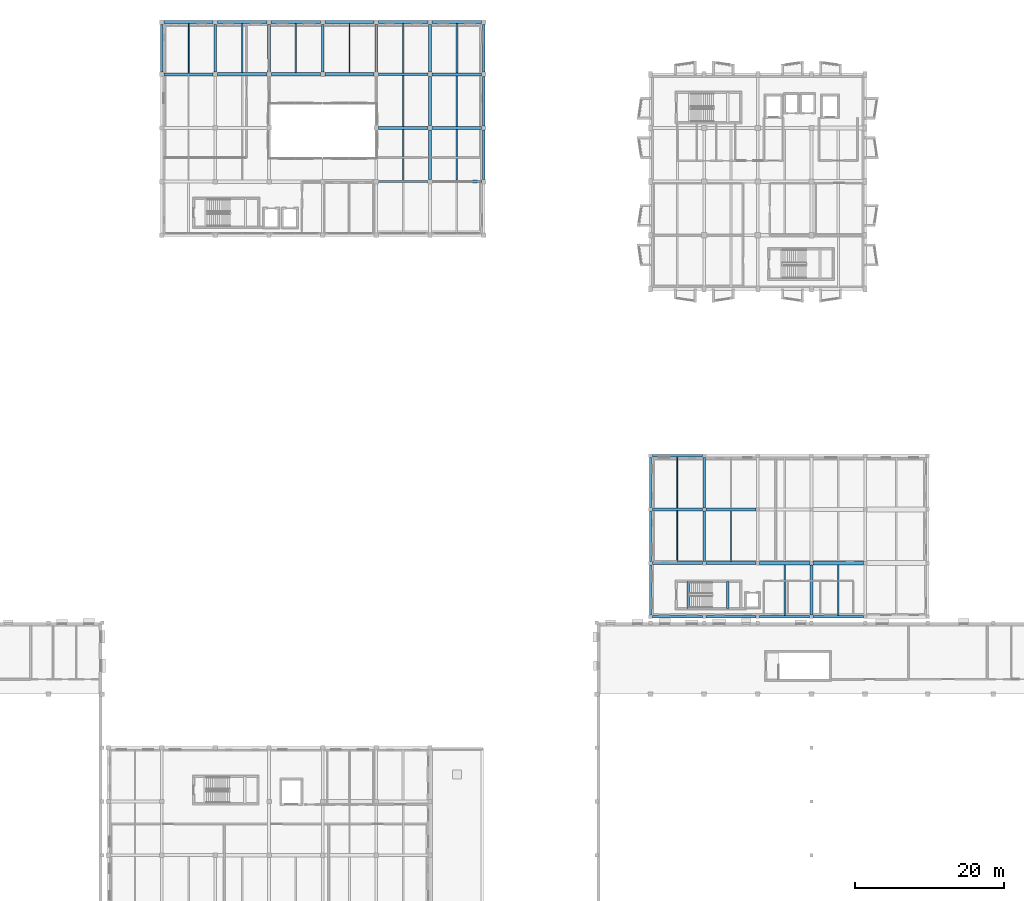
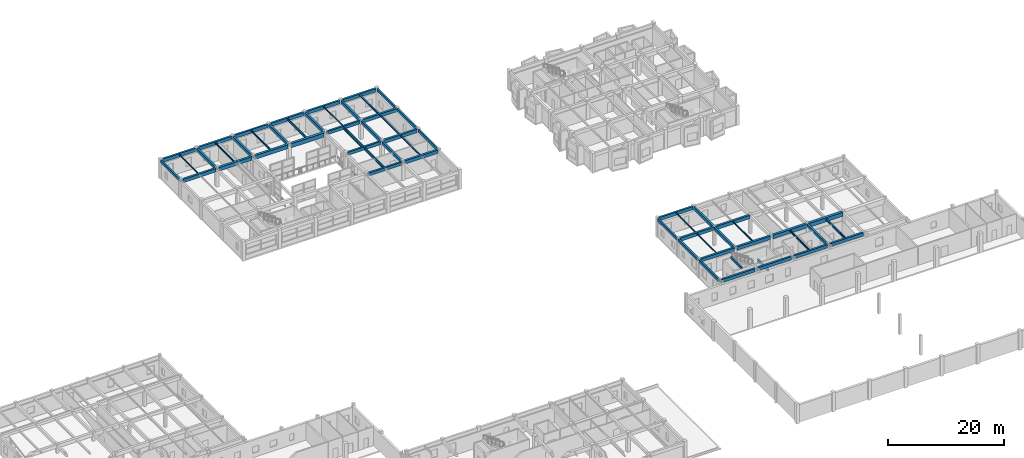
# One storey, part 19 of 49: 61 beams.
"""IFC4 building model written with IfcOpenShell, lengths in metres."""

from ifc_helpers import new_model, si_unit, direction, frame, origin, origin_2d, place, context, subcontext, project, spatial, rectangle, i_section, extrude, material, material_profile, profile_set, type_object, element, save


model = new_model("IFC4")

# Units and contexts
model_context = context("Model", 3, precision=1e-05, world=origin(), true_north=direction((0.0, 1.0)))
body_context = subcontext(model_context, "Body", "Model", "MODEL_VIEW")
ifc_project = project(units=[si_unit("LENGTHUNIT", "METRE"), si_unit("AREAUNIT", "SQUARE_METRE"), si_unit("VOLUMEUNIT", "CUBIC_METRE"), si_unit("PLANEANGLEUNIT", "RADIAN"), si_unit("MASSUNIT", "GRAM", prefix="KILO")], contexts=[model_context])

# Site, building, storey
site_placement = place(None, origin())
site = spatial("IfcSite", under=ifc_project, at=site_placement, CompositionType="ELEMENT")
building_placement = place(site_placement, origin())
building = spatial("IfcBuilding", under=site, at=building_placement, Name="Bramveld Media Centre", CompositionType="ELEMENT")
storey_placement = place(building_placement, frame((0.0, 0.0, 9.60009765625)))
storey = spatial("IfcBuildingStorey", under=building, at=storey_placement, Name="L02", CompositionType="ELEMENT", Elevation=9.60009765625)

# Beams
ifc_material_1 = material(Name="Concrete C40/50", Category="concrete")
ifc_material_profile_1 = material_profile(ifc_material_1, rectangle(XDim=0.300048828125, YDim=0.5, at=origin_2d()), Name="RC 300x500")
ifc_profile_set_1 = profile_set([ifc_material_profile_1], Name="Concrete C40/50")
beam_type_1 = type_object("IfcBeamType", Name="BM-INT-RC-300x500", PredefinedType="BEAM", material=ifc_profile_set_1)
for number, where, z_axis, x_axis, name in (
    (1, (136.25, 40.300048828125, 3.949951171875), (0.0, 1.0, 0.0), (-1.0, 0.0, 0.0), "ST-08 L03 stairwell landing trimmer beam"),
    (2, (141.550048828125, 40.300048828125, 1.64990234375), (0.0, 1.0, 0.0), (-1.0, 0.0, 0.0), "ST-08 L02 stairwell half-landing support beam"),
):
    element("IfcBeam", number, at=place(storey_placement, frame(where, z_axis=z_axis, x_axis=x_axis)), inside=storey, type_object=beam_type_1, Name=name, PredefinedType="BEAM", context=body_context, shape_type="SweptSolid", body=[
        extrude(rectangle(XDim=0.300048828125, YDim=0.5, at=origin_2d()), origin(), (0.0, 0.0, 1.0), 3.64990234375),
    ])
ifc_material_2 = material(Name="Concrete C40/50", Category="concrete")
ifc_material_profile_2 = material_profile(ifc_material_2, rectangle(XDim=0.35009765625, YDim=0.60009765625, at=origin_2d()), Name="RC 350x600")
ifc_profile_set_2 = profile_set([ifc_material_profile_2], Name="Concrete C40/50")
beam_type_2 = type_object("IfcBeamType", Name="BM-INT-RC-350x600", PredefinedType="BEAM", material=ifc_profile_set_2)
beam_1_placement = place(storey_placement, frame((138.39990234375, 46.625, 3.659912109375), z_axis=(0.0, 1.0, 0.0), x_axis=(-1.0, 0.0, 0.0)))
element("IfcBeam", 3, at=beam_1_placement, inside=storey, type_object=beam_type_2, Name="V4 L02 girder Y-589", PredefinedType="BEAM", context=body_context, shape_type="SweptSolid", body=[
    extrude(rectangle(XDim=0.35009765625, YDim=0.60009765625, at=origin_2d()), origin(), (0.0, 0.0, 1.0), 6.75),
])
for number, where, z_axis, x_axis, name in (
    (4, (138.39990234375, 53.824951171875, 3.659912109375), (0.0, 1.0, 0.0), (-1.0, 0.0, 0.0), "V4 L02 girder Y-590"),
    (5, (152.800048828125, 39.43994140625, 3.659912109375), (0.0, 1.0, 0.0), (-1.0, 0.0, 0.0), "V4 L02 girder Y-593"),
):
    element("IfcBeam", number, at=place(storey_placement, frame(where, z_axis=z_axis, x_axis=x_axis)), inside=storey, type_object=beam_type_2, Name=name, PredefinedType="BEAM", context=body_context, shape_type="SweptSolid", body=[
        extrude(rectangle(XDim=0.35009765625, YDim=0.60009765625, at=origin_2d()), origin(), (0.0, 0.0, 1.0), 6.735107421875),
    ])
for number, where, z_axis, x_axis, name in (
    (6, (72.800048828125, 112.300048828125, 3.659912109375), (0.0, 1.0, 0.0), (-1.0, 0.0, 0.0), "V6 L02 girder Y-1098"),
    (7, (80.0, 112.300048828125, 3.659912109375), (0.0, 1.0, 0.0), (-1.0, 0.0, 0.0), "V6 L02 girder Y-1101"),
    (8, (87.199951171875, 112.300048828125, 3.659912109375), (0.0, 1.0, 0.0), (-1.0, 0.0, 0.0), "V6 L02 girder Y-1103"),
    (9, (94.39990234375, 112.300048828125, 3.659912109375), (0.0, 1.0, 0.0), (-1.0, 0.0, 0.0), "V6 L02 girder Y-1107"),
):
    element("IfcBeam", number, at=place(storey_placement, frame(where, z_axis=z_axis, x_axis=x_axis)), inside=storey, type_object=beam_type_2, Name=name, PredefinedType="BEAM", context=body_context, shape_type="SweptSolid", body=[
        extrude(rectangle(XDim=0.35009765625, YDim=0.60009765625, at=origin_2d()), origin(), (0.0, 0.0, 1.0), 6.409912109375),
    ])
beam_2_placement = place(storey_placement, frame((101.60009765625, 97.89990234375, 3.619873046875), z_axis=(0.0, 1.0, 0.0), x_axis=(-1.0, 0.0, 0.0)))
element("IfcBeam", 10, at=beam_2_placement, inside=storey, type_object=beam_type_2, Name="V6 L02 girder Y-1109", PredefinedType="BEAM", context=body_context, shape_type="SweptSolid", body=[
    extrude(rectangle(XDim=0.35009765625, YDim=0.60009765625, at=origin_2d()), origin(), (0.0, 0.0, 1.0), 6.60009765625),
])
beam_3_placement = place(storey_placement, frame((101.60009765625, 105.10009765625, 3.619873046875), z_axis=(0.0, 1.0, 0.0), x_axis=(-1.0, 0.0, 0.0)))
element("IfcBeam", 11, at=beam_3_placement, inside=storey, type_object=beam_type_2, Name="V6 L02 girder Y-1110", PredefinedType="BEAM", context=body_context, shape_type="SweptSolid", body=[
    extrude(rectangle(XDim=0.35009765625, YDim=0.60009765625, at=origin_2d()), origin(), (0.0, 0.0, 1.0), 6.599853515625),
])
beam_4_placement = place(storey_placement, frame((101.60009765625, 112.300048828125, 3.64990234375), z_axis=(0.0, 1.0, 0.0), x_axis=(-1.0, 0.0, 0.0)))
element("IfcBeam", 12, at=beam_4_placement, inside=storey, type_object=beam_type_2, Name="V6 L02 girder Y-1111", PredefinedType="BEAM", context=body_context, shape_type="SweptSolid", body=[
    extrude(rectangle(XDim=0.35009765625, YDim=0.60009765625, at=origin_2d()), origin(), (0.0, 0.0, 1.0), 6.409912109375),
])
ifc_material_3 = material(Name="Concrete C40/50", Category="concrete")
ifc_material_profile_3 = material_profile(ifc_material_3, rectangle(XDim=0.35009765625, YDim=0.64990234375, at=origin_2d()), Name="RC 350x650")
ifc_profile_set_3 = profile_set([ifc_material_profile_3], Name="Concrete C40/50")
beam_type_3 = type_object("IfcBeamType", Name="BM-INT-RC-350x650", PredefinedType="BEAM", material=ifc_profile_set_3)
for number, where, z_axis, x_axis, name in (
    (13, (94.699951171875, 97.60009765625, 3.594970703125), (1.0, 0.0, 0.0), (0.0, 1.0, 0.0), "V6 L02 girder X-1074"),
    (14, (94.699951171875, 104.800048828125, 3.594970703125), (1.0, 0.0, 0.0), (0.0, 1.0, 0.0), "V6 L02 girder X-1078"),
    (15, (94.699951171875, 112.0, 3.594970703125), (1.0, 0.0, 0.0), (0.0, 1.0, 0.0), "V6 L02 girder X-1084"),
):
    element("IfcBeam", number, at=place(storey_placement, frame(where, z_axis=z_axis, x_axis=x_axis)), inside=storey, type_object=beam_type_3, Name=name, PredefinedType="BEAM", context=body_context, shape_type="SweptSolid", body=[
        extrude(rectangle(XDim=0.35009765625, YDim=0.64990234375, at=origin_2d()), origin(), (0.0, 0.0, 1.0), 6.60009765625),
    ])
ifc_material_4 = material(Name="Concrete C40/50", Category="concrete")
ifc_material_profile_4 = material_profile(ifc_material_4, rectangle(XDim=0.39990234375, YDim=0.64990234375, at=origin_2d()), Name="RC 400x650")
ifc_profile_set_4 = profile_set([ifc_material_profile_4], Name="Concrete C40/50")
beam_type_4 = type_object("IfcBeamType", Name="BM-INT-RC-400x650", PredefinedType="BEAM", material=ifc_profile_set_4)
for number, where, z_axis, x_axis, name in (
    (16, (131.43994140625, 46.39990234375, 3.635009765625), (1.0, 0.0, 0.0), (0.0, 1.0, 0.0), "V4 L02 girder X-571"),
    (17, (131.43994140625, 53.60009765625, 3.635009765625), (1.0, 0.0, 0.0), (0.0, 1.0, 0.0), "V4 L02 girder X-576"),
):
    element("IfcBeam", number, at=place(storey_placement, frame(where, z_axis=z_axis, x_axis=x_axis)), inside=storey, type_object=beam_type_4, Name=name, PredefinedType="BEAM", context=body_context, shape_type="SweptSolid", body=[
        extrude(rectangle(XDim=0.39990234375, YDim=0.64990234375, at=origin_2d()), origin(), (0.0, 0.0, 1.0), 6.735107421875),
    ])
ifc_material_5 = material(Name="Concrete C40/50", Category="concrete")
ifc_material_profile_5 = material_profile(ifc_material_5, rectangle(XDim=0.39990234375, YDim=0.699951171875, at=origin_2d()), Name="RC 400x700")
ifc_profile_set_5 = profile_set([ifc_material_profile_5], Name="Concrete C40/50")
beam_type_5 = type_object("IfcBeamType", Name="BM-INT-RC-400x700", PredefinedType="BEAM", material=ifc_profile_set_5)
for number, where, z_axis, x_axis, name in (
    (18, (138.625, 46.39990234375, 3.60986328125), (1.0, 0.0, 0.0), (0.0, 1.0, 0.0), "V4 L02 girder X-572"),
    (19, (138.625, 53.60009765625, 3.60986328125), (1.0, 0.0, 0.0), (0.0, 1.0, 0.0), "V4 L02 girder X-577"),
):
    element("IfcBeam", number, at=place(storey_placement, frame(where, z_axis=z_axis, x_axis=x_axis)), inside=storey, type_object=beam_type_5, Name=name, PredefinedType="BEAM", context=body_context, shape_type="SweptSolid", body=[
        extrude(rectangle(XDim=0.39990234375, YDim=0.699951171875, at=origin_2d()), origin(), (0.0, 0.0, 1.0), 6.75),
    ])
for number, where, z_axis, x_axis, name in (
    (20, (101.89990234375, 97.60009765625, 3.60986328125), (1.0, 0.0, 0.0), (0.0, 1.0, 0.0), "V6 L02 girder X-1075"),
    (21, (101.89990234375, 104.800048828125, 3.60986328125), (1.0, 0.0, 0.0), (0.0, 1.0, 0.0), "V6 L02 girder X-1079"),
    (22, (65.889892578125, 112.0, 3.56982421875), (1.0, 0.0, 0.0), (0.0, 1.0, 0.0), "V6 L02 girder X-1080"),
    (23, (101.89990234375, 112.0, 3.599853515625), (1.0, 0.0, 0.0), (0.0, 1.0, 0.0), "V6 L02 girder X-1085"),
):
    element("IfcBeam", number, at=place(storey_placement, frame(where, z_axis=z_axis, x_axis=x_axis)), inside=storey, type_object=beam_type_5, Name=name, PredefinedType="BEAM", context=body_context, shape_type="SweptSolid", body=[
        extrude(rectangle(XDim=0.39990234375, YDim=0.699951171875, at=origin_2d()), origin(), (0.0, 0.0, 1.0), 6.610107421875),
    ])
ifc_material_6 = material(Name="Concrete C40/50", Category="concrete")
ifc_material_profile_6 = material_profile(ifc_material_6, rectangle(XDim=0.449951171875, YDim=0.75, at=origin_2d()), Name="RC 450x750")
ifc_profile_set_6 = profile_set([ifc_material_profile_6], Name="Concrete C40/50")
beam_type_6 = type_object("IfcBeamType", Name="BM-INT-RC-450x750", PredefinedType="BEAM", material=ifc_profile_set_6)
beam_5_placement = place(storey_placement, frame((73.10009765625, 112.0, 3.544921875), z_axis=(1.0, 0.0, 0.0), x_axis=(0.0, 1.0, 0.0)))
element("IfcBeam", 24, at=beam_5_placement, inside=storey, type_object=beam_type_6, Name="V6 L02 girder X-1081", PredefinedType="BEAM", context=body_context, shape_type="SweptSolid", body=[
    extrude(rectangle(XDim=0.449951171875, YDim=0.75, at=origin_2d()), origin(), (0.0, 0.0, 1.0), 6.599853515625),
])
ifc_material_7 = material(Name="Concrete C40/50", Category="concrete")
ifc_material_profile_7 = material_profile(ifc_material_7, rectangle(XDim=0.449951171875, YDim=0.800048828125, at=origin_2d()), Name="RC 450x800")
ifc_profile_set_7 = profile_set([ifc_material_profile_7], Name="Concrete C40/50")
beam_type_7 = type_object("IfcBeamType", Name="BM-INT-RC-450x800", PredefinedType="BEAM", material=ifc_profile_set_7)
beam_6_placement = place(storey_placement, frame((145.824951171875, 46.39990234375, 3.559814453125), z_axis=(1.0, 0.0, 0.0), x_axis=(0.0, 1.0, 0.0)))
element("IfcBeam", 25, at=beam_6_placement, inside=storey, type_object=beam_type_7, Name="V4 L02 girder X-573", PredefinedType="BEAM", context=body_context, shape_type="SweptSolid", body=[
    extrude(rectangle(XDim=0.449951171875, YDim=0.800048828125, at=origin_2d()), origin(), (0.0, 0.0, 1.0), 6.75),
])
beam_7_placement = place(storey_placement, frame((80.300048828125, 112.0, 3.52001953125), z_axis=(1.0, 0.0, 0.0), x_axis=(0.0, 1.0, 0.0)))
element("IfcBeam", 26, at=beam_7_placement, inside=storey, type_object=beam_type_7, Name="V6 L02 girder X-1082", PredefinedType="BEAM", context=body_context, shape_type="SweptSolid", body=[
    extrude(rectangle(XDim=0.449951171875, YDim=0.800048828125, at=origin_2d()), origin(), (0.0, 0.0, 1.0), 6.599853515625),
])
ifc_material_8 = material(Name="Concrete C40/50", Category="concrete")
ifc_material_profile_8 = material_profile(ifc_material_8, rectangle(XDim=0.5, YDim=0.85009765625, at=origin_2d()), Name="RC 500x850")
ifc_profile_set_8 = profile_set([ifc_material_profile_8], Name="Concrete C40/50")
beam_type_8 = type_object("IfcBeamType", Name="BM-INT-RC-500x850", PredefinedType="BEAM", material=ifc_profile_set_8)
beam_8_placement = place(storey_placement, frame((153.02490234375, 46.39990234375, 3.534912109375), z_axis=(1.0, 0.0, 0.0), x_axis=(0.0, 1.0, 0.0)))
element("IfcBeam", 27, at=beam_8_placement, inside=storey, type_object=beam_type_8, Name="V4 L02 girder X-574", PredefinedType="BEAM", context=body_context, shape_type="SweptSolid", body=[
    extrude(rectangle(XDim=0.5, YDim=0.85009765625, at=origin_2d()), origin(), (0.0, 0.0, 1.0), 6.75),
])
beam_9_placement = place(storey_placement, frame((87.5, 112.0, 3.494873046875), z_axis=(1.0, 0.0, 0.0), x_axis=(0.0, 1.0, 0.0)))
element("IfcBeam", 28, at=beam_9_placement, inside=storey, type_object=beam_type_8, Name="V6 L02 girder X-1083", PredefinedType="BEAM", context=body_context, shape_type="SweptSolid", body=[
    extrude(rectangle(XDim=0.5, YDim=0.85009765625, at=origin_2d()), origin(), (0.0, 0.0, 1.0), 6.60009765625),
])
ifc_material_9 = material(Name="Steel S355J2", Category="steel")
ifc_material_profile_9 = material_profile(ifc_material_9, i_section(OverallWidth=0.179931640625, OverallDepth=0.1708984375, WebThickness=0.006103515625, FlangeThickness=0.009521484375, FilletRadius=0.014892578125, at=origin_2d()), Name="HEA 180")
ifc_profile_set_9 = profile_set([ifc_material_profile_9], Name="Steel S355J2")
beam_type_9 = type_object("IfcBeamType", Name="SBM-INT-HEA-180", PredefinedType="BEAM", material=ifc_profile_set_9)
beam_10_placement = place(storey_placement, frame((98.0, 112.175048828125, 3.87451171875), z_axis=(0.0, 1.0, 0.0), x_axis=(-1.0, 0.0, 0.0)))
element("IfcBeam", 29, at=beam_10_placement, inside=storey, type_object=beam_type_9, Name="V6 L02 secondary floor joist 1129", PredefinedType="BEAM", context=body_context, shape_type="SweptSolid", body=[
    extrude(i_section(OverallWidth=0.179931640625, OverallDepth=0.1708984375, WebThickness=0.006103515625, FlangeThickness=0.009521484375, FilletRadius=0.014892578125, at=origin_2d()), origin(), (0.0, 0.0, 1.0), 6.635009765625),
])
ifc_material_10 = material(Name="Steel S355J2", Category="steel")
ifc_material_profile_10 = material_profile(ifc_material_10, i_section(OverallWidth=0.219970703125, OverallDepth=0.2099609375, WebThickness=0.007080078125, FlangeThickness=0.010986328125, FilletRadius=0.01806640625, at=origin_2d()), Name="HEA 220")
ifc_profile_set_10 = profile_set([ifc_material_profile_10], Name="Steel S355J2")
beam_type_10 = type_object("IfcBeamType", Name="SBM-INT-HEA-220", PredefinedType="BEAM", material=ifc_profile_set_10)
beam_11_placement = place(storey_placement, frame((105.199951171875, 97.800048828125, 3.85498046875), z_axis=(0.0, 1.0, 0.0), x_axis=(-1.0, 0.0, 0.0)))
element("IfcBeam", 30, at=beam_11_placement, inside=storey, type_object=beam_type_10, Name="V6 L02 secondary floor joist 1131", PredefinedType="BEAM", context=body_context, shape_type="SweptSolid", body=[
    extrude(i_section(OverallWidth=0.219970703125, OverallDepth=0.2099609375, WebThickness=0.007080078125, FlangeThickness=0.010986328125, FilletRadius=0.01806640625, at=origin_2d()), origin(), (0.0, 0.0, 1.0), 6.800048828125),
])
ifc_material_11 = material(Name="Steel S355J2", Category="steel")
ifc_material_profile_11 = material_profile(ifc_material_11, i_section(OverallWidth=0.239990234375, OverallDepth=0.22998046875, WebThickness=0.007568359375, FlangeThickness=0.011962890625, FilletRadius=0.02099609375, at=origin_2d()), Name="HEA 240")
ifc_profile_set_11 = profile_set([ifc_material_profile_11], Name="Steel S355J2")
beam_type_11 = type_object("IfcBeamType", Name="SBM-INT-HEA-240", PredefinedType="BEAM", material=ifc_profile_set_11)
beam_12_placement = place(storey_placement, frame((105.199951171875, 105.0, 3.844970703125), z_axis=(0.0, 1.0, 0.0), x_axis=(-1.0, 0.0, 0.0)))
element("IfcBeam", 31, at=beam_12_placement, inside=storey, type_object=beam_type_11, Name="V6 L02 secondary floor joist 1132", PredefinedType="BEAM", context=body_context, shape_type="SweptSolid", body=[
    extrude(i_section(OverallWidth=0.239990234375, OverallDepth=0.22998046875, WebThickness=0.007568359375, FlangeThickness=0.011962890625, FilletRadius=0.02099609375, at=origin_2d()), origin(), (0.0, 0.0, 1.0), 6.800048828125),
])
ifc_material_12 = material(Name="Steel S355J2", Category="steel")
ifc_material_profile_12 = material_profile(ifc_material_12, i_section(OverallWidth=0.260009765625, OverallDepth=0.25, WebThickness=0.007568359375, FlangeThickness=0.012451171875, FilletRadius=0.02392578125, at=origin_2d()), Name="HEA 260")
ifc_profile_set_12 = profile_set([ifc_material_profile_12], Name="Steel S355J2")
beam_type_12 = type_object("IfcBeamType", Name="SBM-INT-HEA-260", PredefinedType="BEAM", material=ifc_profile_set_12)
beam_13_placement = place(storey_placement, frame((105.199951171875, 112.199951171875, 3.824951171875), z_axis=(0.0, 1.0, 0.0), x_axis=(-1.0, 0.0, 0.0)))
element("IfcBeam", 32, at=beam_13_placement, inside=storey, type_object=beam_type_12, Name="V6 L02 secondary floor joist 1133", PredefinedType="BEAM", context=body_context, shape_type="SweptSolid", body=[
    extrude(i_section(OverallWidth=0.260009765625, OverallDepth=0.25, WebThickness=0.007568359375, FlangeThickness=0.012451171875, FilletRadius=0.02392578125, at=origin_2d()), origin(), (0.0, 0.0, 1.0), 6.610107421875),
])
ifc_material_13 = material(Name="Steel S355J2", Category="steel")
ifc_material_profile_13 = material_profile(ifc_material_13, i_section(OverallWidth=0.1201171875, OverallDepth=0.239990234375, WebThickness=0.006103515625, FlangeThickness=0.009765625, FilletRadius=0.014892578125, at=origin_2d()), Name="IPE 240")
ifc_profile_set_13 = profile_set([ifc_material_profile_13], Name="Steel S355J2")
beam_type_13 = type_object("IfcBeamType", Name="SBM-INT-IPE-240", PredefinedType="JOIST", material=ifc_profile_set_13)
beam_14_placement = place(storey_placement, frame((134.800048828125, 46.60009765625, 3.83984375), z_axis=(0.0, 1.0, 0.0), x_axis=(-1.0, 0.0, 0.0)))
element("IfcBeam", 33, at=beam_14_placement, inside=storey, type_object=beam_type_13, Name="V4 L02 secondary floor joist 602", PredefinedType="JOIST", context=body_context, shape_type="SweptSolid", body=[
    extrude(i_section(OverallWidth=0.1201171875, OverallDepth=0.239990234375, WebThickness=0.006103515625, FlangeThickness=0.009765625, FilletRadius=0.014892578125, at=origin_2d()), origin(), (0.0, 0.0, 1.0), 6.7998046875),
])
beam_15_placement = place(storey_placement, frame((69.199951171875, 112.199951171875, 3.83984375), z_axis=(0.0, 1.0, 0.0), x_axis=(-1.0, 0.0, 0.0)))
element("IfcBeam", 34, at=beam_15_placement, inside=storey, type_object=beam_type_13, Name="V6 L02 secondary floor joist 1119", PredefinedType="JOIST", context=body_context, shape_type="SweptSolid", body=[
    extrude(i_section(OverallWidth=0.1201171875, OverallDepth=0.239990234375, WebThickness=0.006103515625, FlangeThickness=0.009765625, FilletRadius=0.014892578125, at=origin_2d()), origin(), (0.0, 0.0, 1.0), 6.610107421875),
])
ifc_material_14 = material(Name="Steel S355J2", Category="steel")
ifc_material_profile_14 = material_profile(ifc_material_14, i_section(OverallWidth=0.135009765625, OverallDepth=0.27001953125, WebThickness=0.006591796875, FlangeThickness=0.01025390625, FilletRadius=0.014892578125, at=origin_2d()), Name="IPE 270")
ifc_profile_set_14 = profile_set([ifc_material_profile_14], Name="Steel S355J2")
beam_type_14 = type_object("IfcBeamType", Name="SBM-INT-IPE-270", PredefinedType="JOIST", material=ifc_profile_set_14)
beam_16_placement = place(storey_placement, frame((134.800048828125, 53.800048828125, 3.824951171875), z_axis=(0.0, 1.0, 0.0), x_axis=(-1.0, 0.0, 0.0)))
element("IfcBeam", 35, at=beam_16_placement, inside=storey, type_object=beam_type_14, Name="V4 L02 secondary floor joist 603", PredefinedType="JOIST", context=body_context, shape_type="SweptSolid", body=[
    extrude(i_section(OverallWidth=0.135009765625, OverallDepth=0.27001953125, WebThickness=0.006591796875, FlangeThickness=0.01025390625, FilletRadius=0.014892578125, at=origin_2d()), origin(), (0.0, 0.0, 1.0), 6.81005859375),
])
ifc_material_15 = material(Name="Steel S355J2", Category="steel")
ifc_material_profile_15 = material_profile(ifc_material_15, i_section(OverallWidth=0.14990234375, OverallDepth=0.300048828125, WebThickness=0.007080078125, FlangeThickness=0.0107421875, FilletRadius=0.014892578125, at=origin_2d()), Name="IPE 300")
ifc_profile_set_15 = profile_set([ifc_material_profile_15], Name="Steel S355J2")
beam_type_15 = type_object("IfcBeamType", Name="SBM-INT-IPE-300", PredefinedType="JOIST", material=ifc_profile_set_15)
beam_17_placement = place(storey_placement, frame((142.0, 46.60009765625, 3.809814453125), z_axis=(0.0, 1.0, 0.0), x_axis=(-1.0, 0.0, 0.0)))
element("IfcBeam", 36, at=beam_17_placement, inside=storey, type_object=beam_type_15, Name="V4 L02 secondary floor joist 604", PredefinedType="JOIST", context=body_context, shape_type="SweptSolid", body=[
    extrude(i_section(OverallWidth=0.14990234375, OverallDepth=0.300048828125, WebThickness=0.007080078125, FlangeThickness=0.0107421875, FilletRadius=0.014892578125, at=origin_2d()), origin(), (0.0, 0.0, 1.0), 6.7998046875),
])
ifc_material_16 = material(Name="Steel S355J2", Category="steel")
ifc_material_profile_16 = material_profile(ifc_material_16, i_section(OverallWidth=0.159912109375, OverallDepth=0.330078125, WebThickness=0.007568359375, FlangeThickness=0.011474609375, FilletRadius=0.01806640625, at=origin_2d()), Name="IPE 330")
ifc_profile_set_16 = profile_set([ifc_material_profile_16], Name="Steel S355J2")
beam_type_16 = type_object("IfcBeamType", Name="SBM-INT-IPE-330", PredefinedType="JOIST", material=ifc_profile_set_16)
beam_18_placement = place(storey_placement, frame((76.39990234375, 112.22509765625, 3.794921875), z_axis=(0.0, 1.0, 0.0), x_axis=(-1.0, 0.0, 0.0)))
element("IfcBeam", 37, at=beam_18_placement, inside=storey, type_object=beam_type_16, Name="V6 L02 secondary floor joist 1122", PredefinedType="JOIST", context=body_context, shape_type="SweptSolid", body=[
    extrude(i_section(OverallWidth=0.159912109375, OverallDepth=0.330078125, WebThickness=0.007568359375, FlangeThickness=0.011474609375, FilletRadius=0.01806640625, at=origin_2d()), origin(), (0.0, 0.0, 1.0), 6.5849609375),
])
ifc_material_17 = material(Name="Steel S355J2", Category="steel")
ifc_material_profile_17 = material_profile(ifc_material_17, i_section(OverallWidth=0.169921875, OverallDepth=0.360107421875, WebThickness=0.008056640625, FlangeThickness=0.0126953125, FilletRadius=0.01806640625, at=origin_2d()), Name="IPE 360")
ifc_profile_set_17 = profile_set([ifc_material_profile_17], Name="Steel S355J2")
beam_type_17 = type_object("IfcBeamType", Name="SBM-INT-IPE-360", PredefinedType="JOIST", material=ifc_profile_set_17)
beam_19_placement = place(storey_placement, frame((149.199951171875, 39.389892578125, 3.77978515625), z_axis=(0.0, 1.0, 0.0), x_axis=(-1.0, 0.0, 0.0)))
element("IfcBeam", 38, at=beam_19_placement, inside=storey, type_object=beam_type_17, Name="V4 L02 secondary floor joist 606", PredefinedType="JOIST", context=body_context, shape_type="SweptSolid", body=[
    extrude(i_section(OverallWidth=0.169921875, OverallDepth=0.360107421875, WebThickness=0.008056640625, FlangeThickness=0.0126953125, FilletRadius=0.01806640625, at=origin_2d()), origin(), (0.0, 0.0, 1.0), 6.78515625),
])
beam_20_placement = place(storey_placement, frame((83.60009765625, 112.22509765625, 3.77978515625), z_axis=(0.0, 1.0, 0.0), x_axis=(-1.0, 0.0, 0.0)))
element("IfcBeam", 39, at=beam_20_placement, inside=storey, type_object=beam_type_17, Name="V6 L02 secondary floor joist 1123", PredefinedType="JOIST", context=body_context, shape_type="SweptSolid", body=[
    extrude(i_section(OverallWidth=0.169921875, OverallDepth=0.360107421875, WebThickness=0.008056640625, FlangeThickness=0.0126953125, FilletRadius=0.01806640625, at=origin_2d()), origin(), (0.0, 0.0, 1.0), 6.5849609375),
])
ifc_material_18 = material(Name="Steel S355J2", Category="steel")
ifc_material_profile_18 = material_profile(ifc_material_18, i_section(OverallWidth=0.18994140625, OverallDepth=0.449951171875, WebThickness=0.009521484375, FlangeThickness=0.0146484375, FilletRadius=0.02099609375, at=origin_2d()), Name="IPE 450")
ifc_profile_set_18 = profile_set([ifc_material_profile_18], Name="Steel S355J2")
beam_type_18 = type_object("IfcBeamType", Name="SBM-INT-IPE-450", PredefinedType="BEAM", material=ifc_profile_set_18)
beam_21_placement = place(storey_placement, frame((90.800048828125, 112.25, 3.73486328125), z_axis=(0.0, 1.0, 0.0), x_axis=(-1.0, 0.0, 0.0)))
element("IfcBeam", 40, at=beam_21_placement, inside=storey, type_object=beam_type_18, Name="V6 L02 secondary floor joist 1125", PredefinedType="BEAM", context=body_context, shape_type="SweptSolid", body=[
    extrude(i_section(OverallWidth=0.18994140625, OverallDepth=0.449951171875, WebThickness=0.009521484375, FlangeThickness=0.0146484375, FilletRadius=0.02099609375, at=origin_2d()), origin(), (0.0, 0.0, 1.0), 6.56005859375),
])
ifc_material_19 = material(Name="Steel S355J2", Category="steel")
ifc_material_profile_19 = material_profile(ifc_material_19, i_section(OverallWidth=0.199951171875, OverallDepth=0.5, WebThickness=0.01025390625, FlangeThickness=0.01611328125, FilletRadius=0.02099609375, at=origin_2d()), Name="IPE 500")
ifc_profile_set_19 = profile_set([ifc_material_profile_19], Name="Steel S355J2")
beam_type_19 = type_object("IfcBeamType", Name="SBM-INT-IPE-500", PredefinedType="BEAM", material=ifc_profile_set_19)
beam_22_placement = place(storey_placement, frame((156.39990234375, 39.389892578125, 3.7099609375), z_axis=(0.0, 1.0, 0.0), x_axis=(-1.0, 0.0, 0.0)))
element("IfcBeam", 41, at=beam_22_placement, inside=storey, type_object=beam_type_19, Name="V4 L02 secondary floor joist 609", PredefinedType="BEAM", context=body_context, shape_type="SweptSolid", body=[
    extrude(i_section(OverallWidth=0.199951171875, OverallDepth=0.5, WebThickness=0.01025390625, FlangeThickness=0.01611328125, FilletRadius=0.02099609375, at=origin_2d()), origin(), (0.0, 0.0, 1.0), 6.760009765625),
])
ifc_material_20 = material(Name="Steel S355J2", Category="steel")
ifc_material_profile_20 = material_profile(ifc_material_20, i_section(OverallWidth=0.2099609375, OverallDepth=0.550048828125, WebThickness=0.010986328125, FlangeThickness=0.01708984375, FilletRadius=0.02392578125, at=origin_2d()), Name="IPE 550")
ifc_profile_set_20 = profile_set([ifc_material_profile_20], Name="Steel S355J2")
beam_type_20 = type_object("IfcBeamType", Name="SBM-INT-IPE-550", PredefinedType="BEAM", material=ifc_profile_set_20)
beam_23_placement = place(storey_placement, frame((98.0, 97.77490234375, 3.64501953125), z_axis=(0.0, 1.0, 0.0), x_axis=(-1.0, 0.0, 0.0)))
element("IfcBeam", 42, at=beam_23_placement, inside=storey, type_object=beam_type_20, Name="V6 L02 secondary floor joist 1127", PredefinedType="BEAM", context=body_context, shape_type="SweptSolid", body=[
    extrude(i_section(OverallWidth=0.2099609375, OverallDepth=0.550048828125, WebThickness=0.010986328125, FlangeThickness=0.01708984375, FilletRadius=0.02392578125, at=origin_2d()), origin(), (0.0, 0.0, 1.0), 6.85009765625),
])
ifc_material_21 = material(Name="Steel S355J2", Category="steel")
ifc_material_profile_21 = material_profile(ifc_material_21, i_section(OverallWidth=0.219970703125, OverallDepth=0.60009765625, WebThickness=0.011962890625, FlangeThickness=0.01904296875, FilletRadius=0.02392578125, at=origin_2d()), Name="IPE 600")
ifc_profile_set_21 = profile_set([ifc_material_profile_21], Name="Steel S355J2")
beam_type_21 = type_object("IfcBeamType", Name="SBM-INT-IPE-600", PredefinedType="BEAM", material=ifc_profile_set_21)
beam_24_placement = place(storey_placement, frame((98.0, 104.97509765625, 3.619873046875), z_axis=(0.0, 1.0, 0.0), x_axis=(-1.0, 0.0, 0.0)))
element("IfcBeam", 43, at=beam_24_placement, inside=storey, type_object=beam_type_21, Name="V6 L02 secondary floor joist 1128", PredefinedType="BEAM", context=body_context, shape_type="SweptSolid", body=[
    extrude(i_section(OverallWidth=0.219970703125, OverallDepth=0.60009765625, WebThickness=0.011962890625, FlangeThickness=0.01904296875, FilletRadius=0.02392578125, at=origin_2d()), origin(), (0.0, 0.0, 1.0), 6.849853515625),
])
ifc_material_22 = material(Name="Concrete C40/50", Category="concrete")
ifc_material_profile_22 = material_profile(ifc_material_22, rectangle(XDim=0.320068359375, YDim=0.580078125, at=origin_2d()), Name="RC 320x580")
ifc_profile_set_22 = profile_set([ifc_material_profile_22], Name="Concrete C40/50")
beam_type_22 = type_object("IfcBeamType", Name="SPANDREL-EXT-RC-320x580", PredefinedType="SPANDREL", material=ifc_profile_set_22)
beam_25_placement = place(storey_placement, frame((131.199951171875, 39.43994140625, 3.669921875), z_axis=(0.0, 1.0, 0.0), x_axis=(-1.0, 0.0, 0.0)))
element("IfcBeam", 44, at=beam_25_placement, inside=storey, type_object=beam_type_22, Name="V4 L02 girder Y-586", PredefinedType="SPANDREL", context=body_context, shape_type="SweptSolid", body=[
    extrude(rectangle(XDim=0.320068359375, YDim=0.580078125, at=origin_2d()), origin(), (0.0, 0.0, 1.0), 6.719970703125),
])
beam_26_placement = place(storey_placement, frame((131.199951171875, 46.639892578125, 3.669921875), z_axis=(0.0, 1.0, 0.0), x_axis=(-1.0, 0.0, 0.0)))
element("IfcBeam", 45, at=beam_26_placement, inside=storey, type_object=beam_type_22, Name="V4 L02 girder Y-587", PredefinedType="SPANDREL", context=body_context, shape_type="SweptSolid", body=[
    extrude(rectangle(XDim=0.320068359375, YDim=0.580078125, at=origin_2d()), origin(), (0.0, 0.0, 1.0), 6.72021484375),
])
beam_27_placement = place(storey_placement, frame((131.199951171875, 53.840087890625, 3.669921875), z_axis=(0.0, 1.0, 0.0), x_axis=(-1.0, 0.0, 0.0)))
element("IfcBeam", 46, at=beam_27_placement, inside=storey, type_object=beam_type_22, Name="V4 L02 girder Y-588", PredefinedType="SPANDREL", context=body_context, shape_type="SweptSolid", body=[
    extrude(rectangle(XDim=0.320068359375, YDim=0.580078125, at=origin_2d()), origin(), (0.0, 0.0, 1.0), 6.719970703125),
])
beam_28_placement = place(storey_placement, frame((65.60009765625, 112.2900390625, 3.669921875), z_axis=(0.0, 1.0, 0.0), x_axis=(-1.0, 0.0, 0.0)))
element("IfcBeam", 47, at=beam_28_placement, inside=storey, type_object=beam_type_22, Name="V6 L02 girder Y-1095", PredefinedType="SPANDREL", context=body_context, shape_type="SweptSolid", body=[
    extrude(rectangle(XDim=0.320068359375, YDim=0.580078125, at=origin_2d()), origin(), (0.0, 0.0, 1.0), 6.419921875),
])
beam_29_placement = place(storey_placement, frame((108.800048828125, 97.889892578125, 3.669921875), z_axis=(0.0, 1.0, 0.0), x_axis=(-1.0, 0.0, 0.0)))
element("IfcBeam", 48, at=beam_29_placement, inside=storey, type_object=beam_type_22, Name="V6 L02 girder Y-1113", PredefinedType="SPANDREL", context=body_context, shape_type="SweptSolid", body=[
    extrude(rectangle(XDim=0.320068359375, YDim=0.580078125, at=origin_2d()), origin(), (0.0, 0.0, 1.0), 6.6201171875),
])
beam_30_placement = place(storey_placement, frame((108.800048828125, 105.090087890625, 3.669921875), z_axis=(0.0, 1.0, 0.0), x_axis=(-1.0, 0.0, 0.0)))
element("IfcBeam", 49, at=beam_30_placement, inside=storey, type_object=beam_type_22, Name="V6 L02 girder Y-1114", PredefinedType="SPANDREL", context=body_context, shape_type="SweptSolid", body=[
    extrude(rectangle(XDim=0.320068359375, YDim=0.580078125, at=origin_2d()), origin(), (0.0, 0.0, 1.0), 6.619873046875),
])
beam_31_placement = place(storey_placement, frame((108.800048828125, 112.2900390625, 3.659912109375), z_axis=(0.0, 1.0, 0.0), x_axis=(-1.0, 0.0, 0.0)))
element("IfcBeam", 50, at=beam_31_placement, inside=storey, type_object=beam_type_22, Name="V6 L02 girder Y-1115", PredefinedType="SPANDREL", context=body_context, shape_type="SweptSolid", body=[
    extrude(rectangle(XDim=0.320068359375, YDim=0.580078125, at=origin_2d()), origin(), (0.0, 0.0, 1.0), 6.419921875),
])
ifc_material_23 = material(Name="Concrete C40/50", Category="concrete")
ifc_material_profile_23 = material_profile(ifc_material_23, rectangle(XDim=0.3798828125, YDim=0.679931640625, at=origin_2d()), Name="RC 380x680")
ifc_profile_set_23 = profile_set([ifc_material_profile_23], Name="Concrete C40/50")
beam_type_23 = type_object("IfcBeamType", Name="SPANDREL-EXT-RC-380x680", PredefinedType="SPANDREL", material=ifc_profile_set_23)
beam_32_placement = place(storey_placement, frame((131.43994140625, 39.199951171875, 3.619873046875), z_axis=(1.0, 0.0, 0.0), x_axis=(0.0, 1.0, 0.0)))
element("IfcBeam", 51, at=beam_32_placement, inside=storey, type_object=beam_type_23, Name="V4 L02 girder X-566", PredefinedType="SPANDREL", context=body_context, shape_type="SweptSolid", body=[
    extrude(rectangle(XDim=0.3798828125, YDim=0.679931640625, at=origin_2d()), origin(), (0.0, 0.0, 1.0), 6.719970703125),
])
beam_33_placement = place(storey_placement, frame((138.639892578125, 39.199951171875, 3.619873046875), z_axis=(1.0, 0.0, 0.0), x_axis=(0.0, 1.0, 0.0)))
element("IfcBeam", 52, at=beam_33_placement, inside=storey, type_object=beam_type_23, Name="V4 L02 girder X-567", PredefinedType="SPANDREL", context=body_context, shape_type="SweptSolid", body=[
    extrude(rectangle(XDim=0.3798828125, YDim=0.679931640625, at=origin_2d()), origin(), (0.0, 0.0, 1.0), 6.72021484375),
])
for number, where, z_axis, x_axis, name in (
    (53, (145.840087890625, 39.199951171875, 3.619873046875), (1.0, 0.0, 0.0), (0.0, 1.0, 0.0), "V4 L02 girder X-568"),
    (54, (153.0400390625, 39.199951171875, 3.619873046875), (1.0, 0.0, 0.0), (0.0, 1.0, 0.0), "V4 L02 girder X-569"),
    (55, (131.43994140625, 60.800048828125, 3.619873046875), (1.0, 0.0, 0.0), (0.0, 1.0, 0.0), "V4 L02 girder X-581"),
):
    element("IfcBeam", number, at=place(storey_placement, frame(where, z_axis=z_axis, x_axis=x_axis)), inside=storey, type_object=beam_type_23, Name=name, PredefinedType="SPANDREL", context=body_context, shape_type="SweptSolid", body=[
        extrude(rectangle(XDim=0.3798828125, YDim=0.679931640625, at=origin_2d()), origin(), (0.0, 0.0, 1.0), 6.719970703125),
    ])
beam_34_placement = place(storey_placement, frame((65.889892578125, 119.0, 3.619873046875), z_axis=(1.0, 0.0, 0.0), x_axis=(0.0, 1.0, 0.0)))
element("IfcBeam", 56, at=beam_34_placement, inside=storey, type_object=beam_type_23, Name="V6 L02 girder X-1086", PredefinedType="SPANDREL", context=body_context, shape_type="SweptSolid", body=[
    extrude(rectangle(XDim=0.3798828125, YDim=0.679931640625, at=origin_2d()), origin(), (0.0, 0.0, 1.0), 6.6201171875),
])
for number, where, z_axis, x_axis, name in (
    (57, (73.090087890625, 119.0, 3.619873046875), (1.0, 0.0, 0.0), (0.0, 1.0, 0.0), "V6 L02 girder X-1087"),
    (58, (80.2900390625, 119.0, 3.619873046875), (1.0, 0.0, 0.0), (0.0, 1.0, 0.0), "V6 L02 girder X-1088"),
):
    element("IfcBeam", number, at=place(storey_placement, frame(where, z_axis=z_axis, x_axis=x_axis)), inside=storey, type_object=beam_type_23, Name=name, PredefinedType="SPANDREL", context=body_context, shape_type="SweptSolid", body=[
        extrude(rectangle(XDim=0.3798828125, YDim=0.679931640625, at=origin_2d()), origin(), (0.0, 0.0, 1.0), 6.619873046875),
    ])
for number, where, z_axis, x_axis, name in (
    (59, (87.489990234375, 119.0, 3.619873046875), (1.0, 0.0, 0.0), (0.0, 1.0, 0.0), "V6 L02 girder X-1089"),
    (60, (94.68994140625, 119.0, 3.619873046875), (1.0, 0.0, 0.0), (0.0, 1.0, 0.0), "V6 L02 girder X-1090"),
    (61, (101.889892578125, 119.0, 3.60986328125), (1.0, 0.0, 0.0), (0.0, 1.0, 0.0), "V6 L02 girder X-1091"),
):
    element("IfcBeam", number, at=place(storey_placement, frame(where, z_axis=z_axis, x_axis=x_axis)), inside=storey, type_object=beam_type_23, Name=name, PredefinedType="SPANDREL", context=body_context, shape_type="SweptSolid", body=[
        extrude(rectangle(XDim=0.3798828125, YDim=0.679931640625, at=origin_2d()), origin(), (0.0, 0.0, 1.0), 6.6201171875),
    ])

save(model, "model.ifc")
